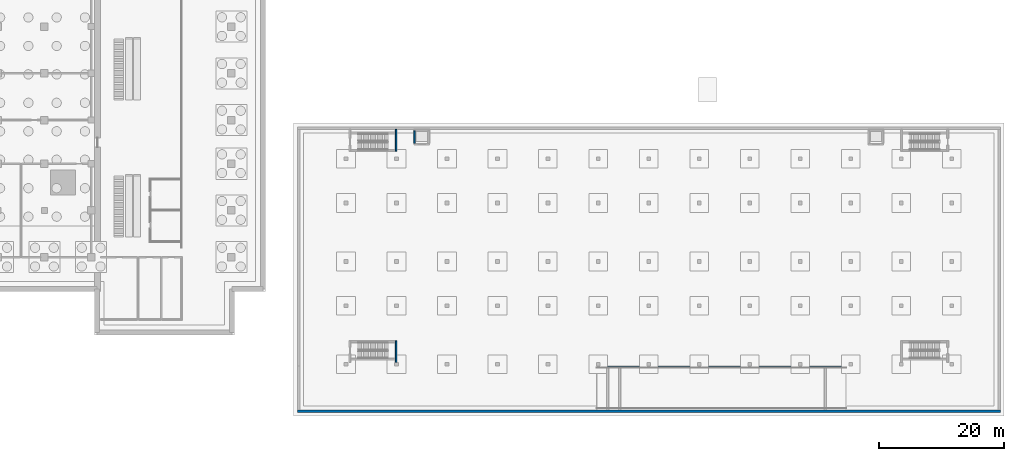
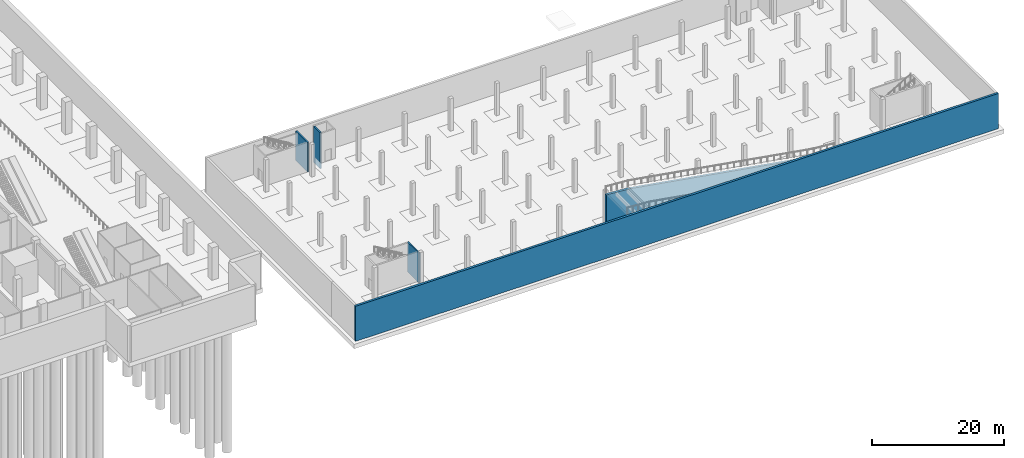
# One storey, part 16 of 39: 5 walls.
"""IFC4 building model written with IfcOpenShell, lengths in metres."""

import ifcopenshell
import ifcopenshell.guid

model = None  # the IFC model being written
_history = None  # IfcOwnerHistory: only IFC2X3 demands one
_inside = {}  # id of a spatial element -> (the spatial element, [elements in it])
_under = {}  # id of a project, library or spatial element -> (it, [spatial elements below it])
_declared = {}  # id of a project -> (the project, [libraries it declares])
_typed = {}  # id of a type object -> (the type object, [elements of that type])
_made_of = {}  # id of a material, layer set ... -> (it, [elements and type objects made of it])


def new_model(schema):
    """Start an empty IFC model of exactly this schema.

    Asked for "IFC4X3", IfcOpenShell would pick the latest addendum, in which some entities
    have other attributes; the version numbers below select the first issue.
    IFC2X3 requires an IfcOwnerHistory on every rooted entity: one is made here for all.
    """
    global model, _history
    if schema == "IFC4X3":
        model = ifcopenshell.file(schema_version=(4, 3, 0, 0))
    else:
        model = ifcopenshell.file(schema=schema)
    _inside.clear()
    _under.clear()
    _declared.clear()
    _typed.clear()
    _made_of.clear()
    _history = None
    if model.schema == "IFC2X3":
        org = make("IfcOrganization", Name="unknown")
        user = make(
            "IfcPersonAndOrganization",
            ThePerson=make("IfcPerson", FamilyName="unknown"),
            TheOrganization=org,
        )
        app = make(
            "IfcApplication",
            ApplicationDeveloper=org,
            Version="unknown",
            ApplicationFullName="unknown",
            ApplicationIdentifier="unknown",
        )
        _history = make(
            "IfcOwnerHistory",
            OwningUser=user,
            OwningApplication=app,
            ChangeAction="ADDED",
            CreationDate=0,
        )
    return model


def make(cls, **values):
    """One entity of the class cls with the attributes given. An attribute that is None is left unset."""
    return model.create_entity(
        cls, **{name: value for name, value in values.items() if value is not None}
    )


def rooted(cls, **values):
    """An entity with a GlobalId (a new one), such as an element, a storey or a relation."""
    return make(cls, GlobalId=ifcopenshell.guid.new(), OwnerHistory=_history, **values)


def si_unit(unit_type, name, prefix=None):
    """IfcSIUnit, for example si_unit("LENGTHUNIT", "METRE", prefix="MILLI")."""
    return make("IfcSIUnit", UnitType=unit_type, Prefix=prefix, Name=name)


def assignment(units):
    """IfcUnitAssignment: the units of a project."""
    return None if units is None else make("IfcUnitAssignment", Units=units)


def point(xyz):
    """IfcCartesianPoint."""
    return None if xyz is None else make("IfcCartesianPoint", Coordinates=xyz)


def direction(xyz):
    """IfcDirection."""
    return None if xyz is None else make("IfcDirection", DirectionRatios=xyz)


def frame(location, z_axis=None, x_axis=None):
    """IfcAxis2Placement3D, a coordinate frame: its origin and axes. An axis left out is left unset."""
    return make(
        "IfcAxis2Placement3D",
        Location=point(location),
        Axis=direction(z_axis),
        RefDirection=direction(x_axis),
    )


def frame_2d(location, x_axis=None):
    """IfcAxis2Placement2D, a coordinate frame in the plane: its origin and x axis."""
    return make(
        "IfcAxis2Placement2D", Location=point(location), RefDirection=direction(x_axis)
    )


def origin():
    """The frame at (0, 0, 0) with its axes left unset."""
    return frame((0.0, 0.0, 0.0))


def place(relative_to, where):
    """IfcLocalPlacement: puts the frame where relative to a parent placement (None: the world)."""
    return make(
        "IfcLocalPlacement", PlacementRelTo=relative_to, RelativePlacement=where
    )


def context(
    kind, dimensions, precision=None, world=None, true_north=None, identifier=None
):
    """IfcGeometricRepresentationContext, for example the 3D "Model" context."""
    return make(
        "IfcGeometricRepresentationContext",
        ContextIdentifier=identifier,
        ContextType=kind,
        CoordinateSpaceDimension=dimensions,
        Precision=precision,
        WorldCoordinateSystem=world,
        TrueNorth=true_north,
    )


def subcontext(parent, identifier, kind, view, scale=None):
    """IfcGeometricRepresentationSubContext, for example "Body" below "Model"."""
    return make(
        "IfcGeometricRepresentationSubContext",
        ContextIdentifier=identifier,
        ContextType=kind,
        ParentContext=parent,
        TargetScale=scale,
        TargetView=view,
    )


def project(units=None, contexts=None):
    """IfcProject with its units and contexts."""
    return rooted(
        "IfcProject",
        Name="project",
        RepresentationContexts=contexts,
        UnitsInContext=assignment(units),
    )


def spatial(cls, under=None, at=None, **own):
    """A site, building, storey or space (cls), placed at a placement, below another one or the project."""
    s = rooted(cls, ObjectPlacement=at, **own)
    if under is not None:
        _under.setdefault(under.id(), (under, []))[1].append(s)
    return s


def polyline(points):
    """IfcPolyline through the points."""
    return make("IfcPolyline", Points=[point(p) for p in points])


def profile(cls, at=None, kind="AREA", **sizes):
    """A parametric profile (cls). Its sizes go by their IFC names, for example OverallWidth=200.0."""
    return make(cls, ProfileType=kind, Position=at, **sizes)


def rectangle(**sizes):
    """IfcRectangleProfileDef."""
    return profile("IfcRectangleProfileDef", **sizes)


def outline(outer, holes=None, kind="AREA"):
    """IfcArbitraryClosedProfileDef: a profile drawn as a closed curve; with holes, ...WithVoids."""
    if holes is None:
        return make("IfcArbitraryClosedProfileDef", ProfileType=kind, OuterCurve=outer)
    return make(
        "IfcArbitraryProfileDefWithVoids",
        ProfileType=kind,
        OuterCurve=outer,
        InnerCurves=holes,
    )


def extrude(swept, where, along, depth):
    """IfcExtrudedAreaSolid: the profile swept, set in the frame where, extruded along a direction by depth."""
    return make(
        "IfcExtrudedAreaSolid",
        SweptArea=swept,
        Position=where,
        ExtrudedDirection=direction(along),
        Depth=depth,
    )


def shape(context_of_items, identifier, shape_type, items):
    """IfcShapeRepresentation: the items that make up one representation, for example the "Body"."""
    return make(
        "IfcShapeRepresentation",
        ContextOfItems=context_of_items,
        RepresentationIdentifier=identifier,
        RepresentationType=shape_type,
        Items=items,
    )


def material(Name=None, Category=None):
    """IfcMaterial."""
    return make("IfcMaterial", Name=Name, Category=Category)


def layer(
    of_material, thickness, ventilated=None, Name=None, Category=None, Priority=None
):
    """IfcMaterialLayer: one layer of a wall or slab, of a material (None: an air gap)."""
    return make(
        "IfcMaterialLayer",
        Material=of_material,
        LayerThickness=thickness,
        IsVentilated=ventilated,
        Name=Name,
        Category=Category,
        Priority=Priority,
    )


def layer_set(layers, Name=None):
    """IfcMaterialLayerSet."""
    return make("IfcMaterialLayerSet", MaterialLayers=layers, LayerSetName=Name)


def made_of(thing, what):
    """Note that an element or type object is made of a material, layer set ...; save() writes the relation."""
    if what is not None:
        _made_of.setdefault(what.id(), (what, []))[1].append(thing)
    return thing


def type_object(cls, material=None, **own):
    """A type object (cls), such as IfcWallType, which elements share."""
    return made_of(rooted(cls, **own), material)


def element(
    cls,
    number,
    at=None,
    inside=None,
    cuts=None,
    type_object=None,
    material=None,
    context=None,
    identifier="Body",
    shape_type=None,
    held_by="IfcProductDefinitionShape",
    body=None,
    shapes=None,
    **own,
):
    """One element of the class cls, such as IfcWall. Its Tag is "e" and its number.

    at: its placement. inside: the storey or other place that contains it. cuts: it is an
    opening in that element (IfcRelVoidsElement). A single representation is given by context,
    identifier, shape_type and body (its items); several are given by shapes. held_by: the class
    of the entity that holds the representations. save() writes the other relations.
    """
    e = rooted(cls, Tag="e%d" % number, ObjectPlacement=at, **own)
    if body is not None:
        shapes = [shape(context, identifier, shape_type, body)]
    if shapes is not None:
        e.Representation = make(held_by, Representations=shapes)
    if inside is not None:
        _inside.setdefault(inside.id(), (inside, []))[1].append(e)
    if cuts is not None:
        rooted(
            "IfcRelVoidsElement", RelatingBuildingElement=cuts, RelatedOpeningElement=e
        )
    if type_object is not None:
        _typed.setdefault(type_object.id(), (type_object, []))[1].append(e)
    return made_of(e, material)


def aggregate(whole, parts):
    """IfcRelAggregates: a whole, such as a stair, and the parts it consists of."""
    return rooted("IfcRelAggregates", RelatingObject=whole, RelatedObjects=parts)


def save(model, path):
    """Write the relations noted so far, then the file.

    IfcRelAggregates (storeys below a building ...), IfcRelContainedInSpatialStructure (elements
    in a storey), IfcRelDefinesByType, IfcRelAssociatesMaterial and IfcRelDeclares: one each for
    every whole, place, type object, material and project.
    """
    for whole, parts in _under.values():
        aggregate(whole, parts)
    for where, things in _inside.values():
        rooted(
            "IfcRelContainedInSpatialStructure",
            RelatedElements=things,
            RelatingStructure=where,
        )
    for kind, things in _typed.values():
        rooted("IfcRelDefinesByType", RelatedObjects=things, RelatingType=kind)
    for what, things in _made_of.values():
        rooted("IfcRelAssociatesMaterial", RelatedObjects=things, RelatingMaterial=what)
    for by, libraries in _declared.values():
        rooted("IfcRelDeclares", RelatingContext=by, RelatedDefinitions=libraries)
    model.write(path)


model = new_model("IFC4")

# Units and contexts
model_context = context("Model", 3, precision=1e-05, world=origin(), true_north=direction((0.0, 1.0)))
body_context = subcontext(model_context, "Body", "Model", "MODEL_VIEW")
ifc_project = project(units=[si_unit("LENGTHUNIT", "METRE"), si_unit("AREAUNIT", "SQUARE_METRE"), si_unit("VOLUMEUNIT", "CUBIC_METRE"), si_unit("PLANEANGLEUNIT", "RADIAN"), si_unit("MASSUNIT", "GRAM", prefix="KILO")], contexts=[model_context])

# Site, building, storey
site_placement = place(None, origin())
site = spatial("IfcSite", under=ifc_project, at=site_placement, CompositionType="ELEMENT")
building_placement = place(site_placement, origin())
building = spatial("IfcBuilding", under=site, at=building_placement, Name="Tamorin Gate", CompositionType="ELEMENT")
storey_placement = place(building_placement, frame((0.0, 0.0, -12.0)))
storey = spatial("IfcBuildingStorey", under=building, at=storey_placement, Name="B2", CompositionType="ELEMENT", Elevation=-12.0)

# Walls
ifc_material = material(Name="Concrete C40/50", Category="concrete")
ifc_layer_1 = layer(ifc_material, 0.39990234375)
ifc_layer_set_1 = layer_set([ifc_layer_1], Name="Car park retaining wall 400 C40/50")
wall_type_1 = type_object("IfcWallType", Name="Car park retaining wall 400 C40/50", PredefinedType="SHEAR", material=ifc_layer_set_1)
wall_1_placement = place(storey_placement, frame((122.60009765625, 5.800048828125, -0.5), z_axis=(0.0, 0.0, 1.0), x_axis=(1.0, 0.0, 0.0)))
element("IfcWall", 1, at=wall_1_placement, inside=storey, type_object=wall_type_1, Name="Retaining wall B2", PredefinedType="SHEAR", context=body_context, shape_type="SweptSolid", body=[
    extrude(rectangle(XDim=112.7998046875, YDim=0.39990234375, at=frame_2d((56.39990234375, 0.0))), origin(), (0.0, 0.0, 1.0), 6.5),
])
ifc_layer_2 = layer(ifc_material, 0.39990234375)
ifc_layer_set_2 = layer_set([ifc_layer_2], Name="Ramp support wall 400 C40/50")
wall_type_2 = type_object("IfcWallType", Name="Ramp support wall 400 C40/50", PredefinedType="SHEAR", material=ifc_layer_set_2)
wall_2_placement = place(storey_placement, frame((170.64990234375, 12.800048828125, -0.5), z_axis=(0.0, 0.0, 1.0), x_axis=(1.0, 0.0, 0.0)))
element("IfcWall", 2, at=wall_2_placement, inside=storey, type_object=wall_type_2, Name="Ramp support wall", PredefinedType="SHEAR", context=body_context, shape_type="SweptSolid", body=[
    extrude(outline(polyline([(0.0, 0.0), (40.0, 0.0), (40.0, 0.098876953125), (36.501953125, 0.348876953125), (36.501953125, 0.343994140625), (3.882080078125, 5.843994140625), (3.501953125, 5.848876953125), (0.0, 6.098876953125), (0.0, 0.0)])), frame((0.0, 0.199951171875, 0.0), z_axis=(0.0, -1.0, 0.0), x_axis=(1.0, 0.0, 0.0)), (0.0, 0.0, 1.0), 0.39990234375),
])
ifc_layer_3 = layer(ifc_material, 0.25)
ifc_layer_set_3 = layer_set([ifc_layer_3], Name="Stair and lift enclosure wall 250 C40/50")
wall_type_3 = type_object("IfcWallType", Name="Stair and lift enclosure wall 250 C40/50", PredefinedType="SHEAR", material=ifc_layer_set_3)
wall_3_placement = place(storey_placement, frame((138.43505859375, 13.60009765625, 0.0), z_axis=(0.0, 0.0, 1.0), x_axis=(0.0, 1.0, 0.0)))
element("IfcWall", 3, at=wall_3_placement, inside=storey, type_object=wall_type_3, Name="Stair SB6 wall", PredefinedType="SHEAR", context=body_context, shape_type="SweptSolid", body=[
    extrude(rectangle(XDim=3.449951171875, YDim=0.25, at=frame_2d((1.72509765625, 0.0))), origin(), (0.0, 0.0, 1.0), 5.5),
])
wall_4_placement = place(storey_placement, frame((138.43505859375, 47.5, 0.0), z_axis=(0.0, 0.0, 1.0), x_axis=(0.0, 1.0, 0.0)))
element("IfcWall", 4, at=wall_4_placement, inside=storey, type_object=wall_type_3, Name="Stair SB7 wall", PredefinedType="SHEAR", context=body_context, shape_type="SweptSolid", body=[
    extrude(rectangle(XDim=3.5, YDim=0.25, at=frame_2d((1.75, 0.0))), origin(), (0.0, 0.0, 1.0), 5.5),
])
wall_5_placement = place(storey_placement, frame((141.425048828125, 48.75, -1.199951171875), z_axis=(0.0, 0.0, 1.0), x_axis=(0.0, 1.0, 0.0)))
element("IfcWall", 5, at=wall_5_placement, inside=storey, type_object=wall_type_3, Name="Lift shaft LP1", PredefinedType="SHEAR", context=body_context, shape_type="SweptSolid", body=[
    extrude(rectangle(XDim=2.0, YDim=0.25, at=frame_2d((1.0, 0.0))), origin(), (0.0, 0.0, 1.0), 6.699951171875),
])

save(model, "model.ifc")
